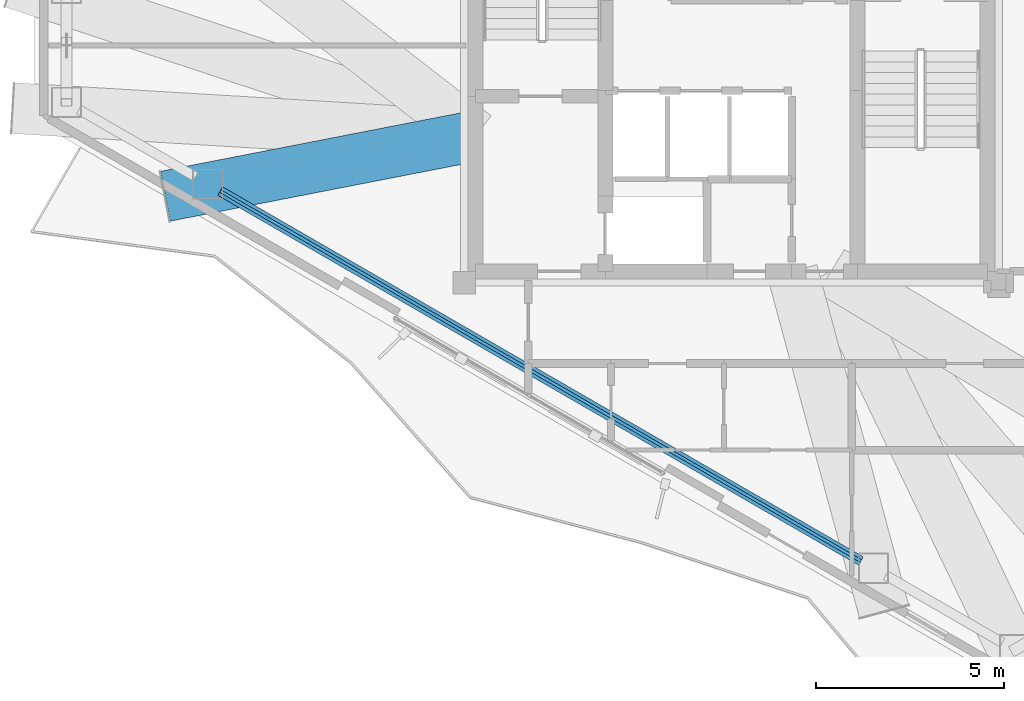
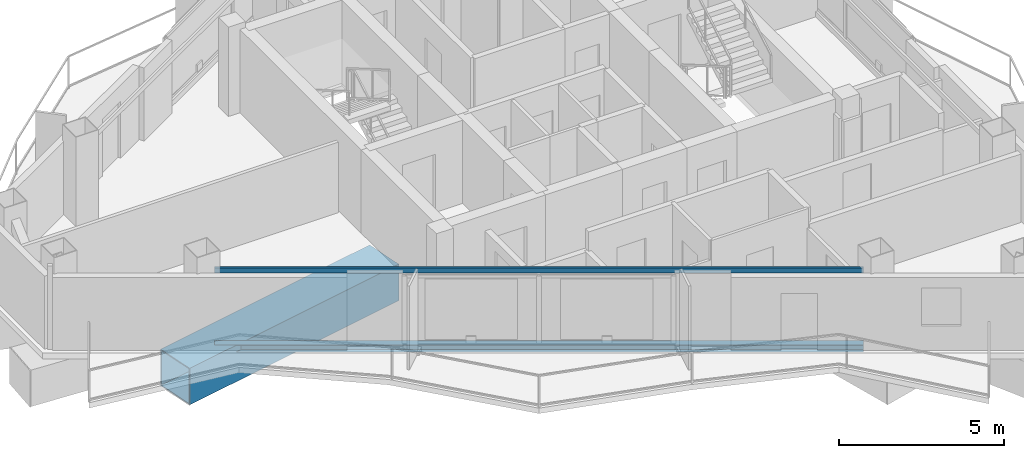
# One storey, part 3 of 17: 3 beams.
"""IFC4 building model written with IfcOpenShell, lengths in metres."""

from ifc_helpers import new_model, si_unit, direction, frame, origin, origin_2d, place, context, subcontext, project, spatial, hollow_rectangle, i_section, extrude, material, material_profile, profile_set, type_object, element, save


model = new_model("IFC4")

# Units and contexts
model_context = context("Model", 3, precision=1e-05, world=origin(), true_north=direction((0.0, 1.0)))
body_context = subcontext(model_context, "Body", "Model", "MODEL_VIEW")
ifc_project = project(units=[si_unit("LENGTHUNIT", "METRE"), si_unit("AREAUNIT", "SQUARE_METRE"), si_unit("VOLUMEUNIT", "CUBIC_METRE"), si_unit("PLANEANGLEUNIT", "RADIAN"), si_unit("MASSUNIT", "GRAM", prefix="KILO")], contexts=[model_context])

# Site, building, storey
site_placement = place(None, origin())
site = spatial("IfcSite", under=ifc_project, at=site_placement, CompositionType="ELEMENT")
building_placement = place(site_placement, origin())
building = spatial("IfcBuilding", under=site, at=building_placement, Name="Mersakhor Tower and Convention Hall", CompositionType="ELEMENT")
storey_placement = place(building_placement, frame((0.0, 0.0, 223.199951171875)))
storey = spatial("IfcBuildingStorey", under=building, at=storey_placement, Name="L62", CompositionType="ELEMENT", Elevation=223.199951171875)

# Beams
ifc_material_1 = material(Name="Steel S355", Category="steel")
ifc_material_profile_1 = material_profile(ifc_material_1, hollow_rectangle(XDim=0.080078125, YDim=0.179931640625, WallThickness=0.008056640625, at=origin_2d()), Name="RHS 180x80x8")
ifc_profile_set_1 = profile_set([ifc_material_profile_1], Name="Steel S355")
beam_type_1 = type_object("IfcBeamType", Name="BM-GRT-RHS180", PredefinedType="USERDEFINED", material=ifc_profile_set_1)
beam_1_placement = place(storey_placement, frame((32.4423828125, 13.050537109375, 2.47998046875), z_axis=(-0.866021610626, 0.500006569886, 0.0), x_axis=(-0.500006569886, -0.866021610626, 0.0)))
element("IfcBeam", 1, at=beam_1_placement, inside=storey, type_object=beam_type_1, Name="L62 Facade Support Girt GRT-F3", ObjectType="GIRT", PredefinedType="USERDEFINED", context=body_context, shape_type="SweptSolid", body=[
    extrude(hollow_rectangle(XDim=0.080078125, YDim=0.179931640625, WallThickness=0.008056640625, at=origin_2d()), origin(), (0.0, 0.0, 1.0), 19.661865234375),
])
ifc_material_2 = material(Name="Steel S355", Category="steel")
ifc_material_profile_2 = material_profile(ifc_material_2, i_section(OverallWidth=0.25634765625, OverallDepth=0.26025390625, WebThickness=0.01025390625, FlangeThickness=0.017333984375, at=origin_2d()), Name="UC 254x254x89")
ifc_profile_set_2 = profile_set([ifc_material_profile_2], Name="Steel S355")
beam_type_2 = type_object("IfcBeamType", Name="BM-SPD-UC254", PredefinedType="SPANDREL", material=ifc_profile_set_2)
beam_2_placement = place(storey_placement, frame((32.4423828125, 13.050537109375, -0.35009765625), z_axis=(-0.866021610626, 0.500006569886, 0.0), x_axis=(-0.500006569886, -0.866021610626, 0.0)))
element("IfcBeam", 2, at=beam_2_placement, inside=storey, type_object=beam_type_2, Name="L62 Perimeter Spandrel Beam SPB-10", PredefinedType="SPANDREL", context=body_context, shape_type="SweptSolid", body=[
    extrude(i_section(OverallWidth=0.25634765625, OverallDepth=0.26025390625, WebThickness=0.01025390625, FlangeThickness=0.017333984375, at=origin_2d()), origin(), (0.0, 0.0, 1.0), 19.661865234375),
])
ifc_material_3 = material(Name="Steel S460", Category="steel")
ifc_material_profile_3 = material_profile(ifc_material_3, hollow_rectangle(XDim=1.35009765625, YDim=1.35009765625, WallThickness=0.035888671875, at=origin_2d()), Name="SHS 1350x1350x36")
ifc_profile_set_3 = profile_set([ifc_material_profile_3], Name="Steel S460")
beam_type_3 = type_object("IfcBeamType", Name="BM-TR-BOX1350", PredefinedType="BEAM", material=ifc_profile_set_3)
beam_3_placement = place(storey_placement, frame((13.959716796875, 22.7451171875, -0.89501953125), z_axis=(0.981554799123, 0.191181004072, 0.0), x_axis=(-0.191181004072, 0.981554799123, 0.0)))
element("IfcBeam", 3, at=beam_3_placement, inside=storey, type_object=beam_type_3, Name="L62 Taper Step Transfer Girder STG-11", PredefinedType="BEAM", context=body_context, shape_type="SweptSolid", body=[
    extrude(hollow_rectangle(XDim=1.35009765625, YDim=1.35009765625, WallThickness=0.035888671875, at=origin_2d()), origin(), (0.0, 0.0, 1.0), 8.39501953125),
])

save(model, "model.ifc")
